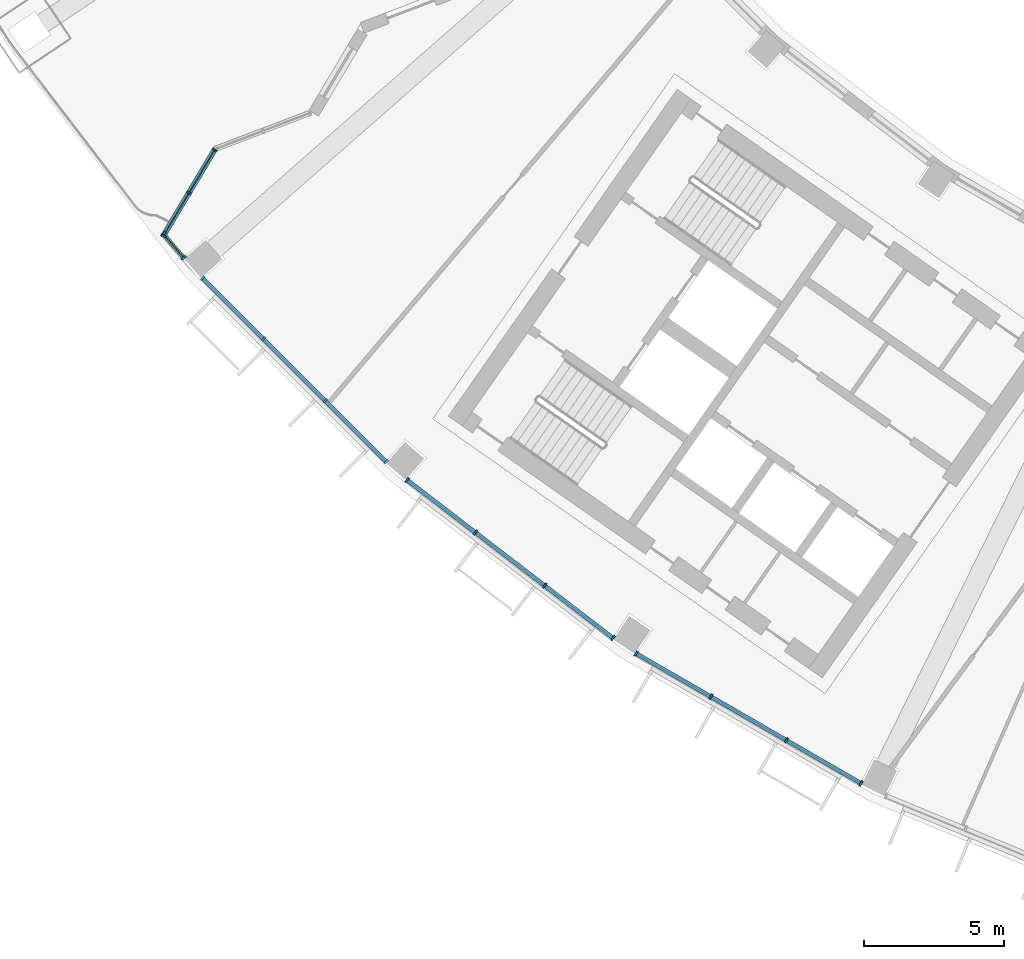
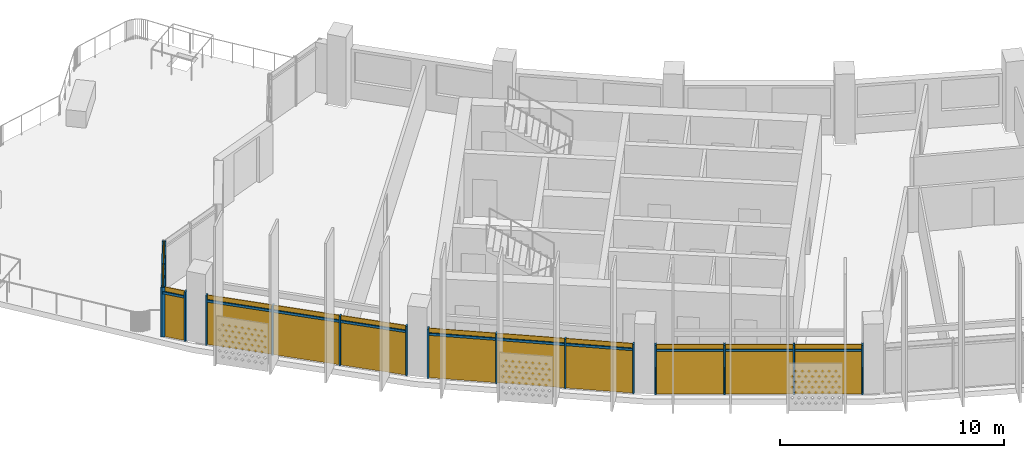
# One storey, part 16 of 29: 29 members, 5 curtain walls.
"""IFC4 building model written with IfcOpenShell, lengths in metres."""

from ifc_helpers import new_model, si_unit, direction, frame, origin, origin_2d, place, context, subcontext, project, spatial, rectangle, extrude, material, material_profile, profile_set, type_object, element, aggregate, save


model = new_model("IFC4")

# Units and contexts
model_context = context("Model", 3, precision=1e-05, world=origin(), true_north=direction((0.0, 1.0)))
body_context = subcontext(model_context, "Body", "Model", "MODEL_VIEW")
ifc_project = project(units=[si_unit("LENGTHUNIT", "METRE"), si_unit("AREAUNIT", "SQUARE_METRE"), si_unit("VOLUMEUNIT", "CUBIC_METRE"), si_unit("PLANEANGLEUNIT", "RADIAN"), si_unit("MASSUNIT", "GRAM", prefix="KILO")], contexts=[model_context])

# Member
ifc_material = material(Name="Aluminium 6063-T6 anodised", Category="aluminium")
ifc_material_profile_1 = material_profile(ifc_material, rectangle(XDim=0.179931640625, YDim=0.06005859375, at=origin_2d()))
ifc_profile_set_1 = profile_set([ifc_material_profile_1], Name="Aluminium 6063-T6 anodised")
member_type_1 = type_object("IfcMemberType", Name="Mullion 60 x 180 aluminium, garden", PredefinedType="MULLION", material=ifc_profile_set_1)
site_placement = place(None, origin())
building_placement = place(site_placement, origin())
storey_placement = place(building_placement, frame((0.0, 0.0, 258.10009765625)))
member_1_placement = place(storey_placement, frame((-58.046875, -47.376953125, 0.0), z_axis=(0.0, 0.0, 1.0), x_axis=(0.858770711953, -0.512360092408, 0.0)))
member_1 = element("IfcMember", 1, at=member_1_placement, type_object=member_type_1, Name="e-cw4-L62-capW5/M00", PredefinedType="MULLION", context=body_context, shape_type="SweptSolid", body=[
    extrude(rectangle(XDim=0.179931640625, YDim=0.06005859375, at=origin_2d()), origin(), (0.0, 0.0, 1.0), 2.699951171875),
])

member_2_placement = place(storey_placement, frame((-58.96044921875, -48.90869140625, 0.0), z_axis=(0.0, 0.0, 1.0), x_axis=(0.858770711953, -0.512360092408, 0.0)))
member_2 = element("IfcMember", 2, at=member_2_placement, type_object=member_type_1, Name="e-cw4-L62-capW5/M01", PredefinedType="MULLION", context=body_context, shape_type="SweptSolid", body=[
    extrude(rectangle(XDim=0.179931640625, YDim=0.06005859375, at=origin_2d()), origin(), (0.0, 0.0, 1.0), 2.699951171875),
])

member_3_placement = place(storey_placement, frame((-59.874267578125, -50.440185546875, 0.0), z_axis=(0.0, 0.0, 1.0), x_axis=(0.858770711953, -0.512360092408, 0.0)))
member_3 = element("IfcMember", 3, at=member_3_placement, type_object=member_type_1, Name="e-cw4-L62-capW5/M02", PredefinedType="MULLION", context=body_context, shape_type="SweptSolid", body=[
    extrude(rectangle(XDim=0.179931640625, YDim=0.06005859375, at=origin_2d()), origin(), (0.0, 0.0, 1.0), 2.699951171875),
])

ifc_material_profile_2 = material_profile(ifc_material, rectangle(XDim=0.199951171875, YDim=0.070068359375, at=origin_2d()))
ifc_profile_set_2 = profile_set([ifc_material_profile_2], Name="Aluminium 6063-T6 anodised")
member_type_2 = type_object("IfcMemberType", Name="Mullion 70 x 200 aluminium", PredefinedType="MULLION", material=ifc_profile_set_2)
member_4_placement = place(storey_placement, frame((-59.876953125, -50.376220703125, 0.0), z_axis=(0.0, 0.0, 1.0), x_axis=(0.758703110659, 0.651436558597, 0.0)))
member_4 = element("IfcMember", 4, at=member_4_placement, type_object=member_type_2, Name="e-cw1-L62-out00/M00", PredefinedType="MULLION", context=body_context, shape_type="SweptSolid", body=[
    extrude(rectangle(XDim=0.199951171875, YDim=0.070068359375, at=origin_2d()), origin(), (0.0, 0.0, 1.0), 2.699951171875),
])

member_5_placement = place(storey_placement, frame((-59.14990234375, -51.222900390625, 0.0), z_axis=(0.0, 0.0, 1.0), x_axis=(0.758703110659, 0.651436558597, 0.0)))
member_5 = element("IfcMember", 5, at=member_5_placement, type_object=member_type_2, Name="e-cw1-L62-out00/M01", PredefinedType="MULLION", context=body_context, shape_type="SweptSolid", body=[
    extrude(rectangle(XDim=0.199951171875, YDim=0.070068359375, at=origin_2d()), origin(), (0.0, 0.0, 1.0), 2.699951171875),
])

member_6_placement = place(storey_placement, frame((-58.482421875, -51.942626953125, 0.0), z_axis=(0.0, 0.0, 1.0), x_axis=(0.707106781187, 0.707106781187, 0.0)))
member_6 = element("IfcMember", 6, at=member_6_placement, type_object=member_type_2, Name="e-cw1-L62-out01/M00", PredefinedType="MULLION", context=body_context, shape_type="SweptSolid", body=[
    extrude(rectangle(XDim=0.199951171875, YDim=0.070068359375, at=origin_2d()), origin(), (0.0, 0.0, 1.0), 2.699951171875),
])

member_7_placement = place(storey_placement, frame((-56.310791015625, -54.1142578125, 0.0), z_axis=(0.0, 0.0, 1.0), x_axis=(0.707106781187, 0.707106781187, 0.0)))
member_7 = element("IfcMember", 7, at=member_7_placement, type_object=member_type_2, Name="e-cw1-L62-out01/M01", PredefinedType="MULLION", context=body_context, shape_type="SweptSolid", body=[
    extrude(rectangle(XDim=0.199951171875, YDim=0.070068359375, at=origin_2d()), origin(), (0.0, 0.0, 1.0), 2.699951171875),
])

member_8_placement = place(storey_placement, frame((-54.1142578125, -56.310791015625, 0.0), z_axis=(0.0, 0.0, 1.0), x_axis=(0.707106781187, 0.707106781187, 0.0)))
member_8 = element("IfcMember", 8, at=member_8_placement, type_object=member_type_2, Name="e-cw1-L62-out01/M02", PredefinedType="MULLION", context=body_context, shape_type="SweptSolid", body=[
    extrude(rectangle(XDim=0.199951171875, YDim=0.070068359375, at=origin_2d()), origin(), (0.0, 0.0, 1.0), 2.699951171875),
])

member_9_placement = place(storey_placement, frame((-51.942626953125, -58.482421875, 0.0), z_axis=(0.0, 0.0, 1.0), x_axis=(0.707106781187, 0.707106781187, 0.0)))
member_9 = element("IfcMember", 9, at=member_9_placement, type_object=member_type_2, Name="e-cw1-L62-out01/M03", PredefinedType="MULLION", context=body_context, shape_type="SweptSolid", body=[
    extrude(rectangle(XDim=0.199951171875, YDim=0.070068359375, at=origin_2d()), origin(), (0.0, 0.0, 1.0), 2.699951171875),
])

member_10_placement = place(storey_placement, frame((-51.2021484375, -59.131591796875, 0.0), z_axis=(0.0, 0.0, 1.0), x_axis=(0.608761429009, 0.793353340291, 0.0)))
member_10 = element("IfcMember", 10, at=member_10_placement, type_object=member_type_2, Name="e-cw1-L62-out02/M00", PredefinedType="MULLION", context=body_context, shape_type="SweptSolid", body=[
    extrude(rectangle(XDim=0.199951171875, YDim=0.070068359375, at=origin_2d()), origin(), (0.0, 0.0, 1.0), 2.699951171875),
])

member_11_placement = place(storey_placement, frame((-48.765625, -61.001220703125, 0.0), z_axis=(0.0, 0.0, 1.0), x_axis=(0.608761429009, 0.793353340291, 0.0)))
member_11 = element("IfcMember", 11, at=member_11_placement, type_object=member_type_2, Name="e-cw1-L62-out02/M01", PredefinedType="MULLION", context=body_context, shape_type="SweptSolid", body=[
    extrude(rectangle(XDim=0.199951171875, YDim=0.070068359375, at=origin_2d()), origin(), (0.0, 0.0, 1.0), 2.699951171875),
])

member_12_placement = place(storey_placement, frame((-46.30126953125, -62.892333984375, 0.0), z_axis=(0.0, 0.0, 1.0), x_axis=(0.608761429009, 0.793353340291, 0.0)))
member_12 = element("IfcMember", 12, at=member_12_placement, type_object=member_type_2, Name="e-cw1-L62-out02/M02", PredefinedType="MULLION", context=body_context, shape_type="SweptSolid", body=[
    extrude(rectangle(XDim=0.199951171875, YDim=0.070068359375, at=origin_2d()), origin(), (0.0, 0.0, 1.0), 2.699951171875),
])

member_13_placement = place(storey_placement, frame((-43.86474609375, -64.761962890625, 0.0), z_axis=(0.0, 0.0, 1.0), x_axis=(0.608761429009, 0.793353340291, 0.0)))
member_13 = element("IfcMember", 13, at=member_13_placement, type_object=member_type_2, Name="e-cw1-L62-out02/M03", PredefinedType="MULLION", context=body_context, shape_type="SweptSolid", body=[
    extrude(rectangle(XDim=0.199951171875, YDim=0.070068359375, at=origin_2d()), origin(), (0.0, 0.0, 1.0), 2.699951171875),
])

member_14_placement = place(storey_placement, frame((-43.0458984375, -65.30908203125, 0.0), z_axis=(0.0, 0.0, 1.0), x_axis=(0.5, 0.866025403784, 0.0)))
member_14 = element("IfcMember", 14, at=member_14_placement, type_object=member_type_2, Name="e-cw1-L62-out03/M00", PredefinedType="MULLION", context=body_context, shape_type="SweptSolid", body=[
    extrude(rectangle(XDim=0.199951171875, YDim=0.070068359375, at=origin_2d()), origin(), (0.0, 0.0, 1.0), 2.699951171875),
])

member_15_placement = place(storey_placement, frame((-40.38623046875, -66.8447265625, 0.0), z_axis=(0.0, 0.0, 1.0), x_axis=(0.5, 0.866025403784, 0.0)))
member_15 = element("IfcMember", 15, at=member_15_placement, type_object=member_type_2, Name="e-cw1-L62-out03/M01", PredefinedType="MULLION", context=body_context, shape_type="SweptSolid", body=[
    extrude(rectangle(XDim=0.199951171875, YDim=0.070068359375, at=origin_2d()), origin(), (0.0, 0.0, 1.0), 2.699951171875),
])

member_16_placement = place(storey_placement, frame((-37.696044921875, -68.397705078125, 0.0), z_axis=(0.0, 0.0, 1.0), x_axis=(0.5, 0.866025403784, 0.0)))
member_16 = element("IfcMember", 16, at=member_16_placement, type_object=member_type_2, Name="e-cw1-L62-out03/M02", PredefinedType="MULLION", context=body_context, shape_type="SweptSolid", body=[
    extrude(rectangle(XDim=0.199951171875, YDim=0.070068359375, at=origin_2d()), origin(), (0.0, 0.0, 1.0), 2.699951171875),
])

member_17_placement = place(storey_placement, frame((-35.036376953125, -69.933349609375, 0.0), z_axis=(0.0, 0.0, 1.0), x_axis=(0.5, 0.866025403784, 0.0)))
member_17 = element("IfcMember", 17, at=member_17_placement, type_object=member_type_2, Name="e-cw1-L62-out03/M03", PredefinedType="MULLION", context=body_context, shape_type="SweptSolid", body=[
    extrude(rectangle(XDim=0.199951171875, YDim=0.070068359375, at=origin_2d()), origin(), (0.0, 0.0, 1.0), 2.699951171875),
])

ifc_material_profile_3 = material_profile(ifc_material, rectangle(XDim=0.179931640625, YDim=0.10009765625, at=origin_2d()))
ifc_profile_set_3 = profile_set([ifc_material_profile_3], Name="Aluminium 6063-T6 anodised")
member_type_3 = type_object("IfcMemberType", Name="Transom 100 x 180 aluminium, garden", PredefinedType="USERDEFINED", material=ifc_profile_set_3)
member_18_placement = place(storey_placement, frame((-58.06201171875, -47.40283203125, 2.39990234375), z_axis=(-0.512494572581, -0.858690464064, 0.0), x_axis=(0.858690464064, -0.512494572581, 0.0)))
member_18 = element("IfcMember", 18, at=member_18_placement, type_object=member_type_3, Name="e-cw4-L62-capW5/T00", ObjectType="TRANSOM", PredefinedType="USERDEFINED", context=body_context, shape_type="SweptSolid", body=[
    extrude(rectangle(XDim=0.179931640625, YDim=0.10009765625, at=origin_2d()), origin(), (0.0, 0.0, 1.0), 1.7236328125),
])

member_19_placement = place(storey_placement, frame((-58.975830078125, -48.934326171875, 2.39990234375), z_axis=(-0.51232778747, -0.858789984913, 0.0), x_axis=(0.858789984913, -0.51232778747, 0.0)))
member_19 = element("IfcMember", 19, at=member_19_placement, type_object=member_type_3, Name="e-cw4-L62-capW5/T01", ObjectType="TRANSOM", PredefinedType="USERDEFINED", context=body_context, shape_type="SweptSolid", body=[
    extrude(rectangle(XDim=0.179931640625, YDim=0.10009765625, at=origin_2d()), origin(), (0.0, 0.0, 1.0), 1.7236328125),
])

ifc_material_profile_4 = material_profile(ifc_material, rectangle(XDim=0.139892578125, YDim=0.1201171875, at=origin_2d()))
ifc_profile_set_4 = profile_set([ifc_material_profile_4], Name="Aluminium 6063-T6 anodised")
member_type_4 = type_object("IfcMemberType", Name="Transom 120 x 140 aluminium", PredefinedType="USERDEFINED", material=ifc_profile_set_4)
member_20_placement = place(storey_placement, frame((-59.854248046875, -50.40283203125, 2.39990234375), z_axis=(0.651502361991, -0.758646605687, 0.0), x_axis=(0.758646605687, 0.651502361991, 0.0)))
member_20 = element("IfcMember", 20, at=member_20_placement, type_object=member_type_4, Name="e-cw1-L62-out00/T00", ObjectType="TRANSOM", PredefinedType="USERDEFINED", context=body_context, shape_type="SweptSolid", body=[
    extrude(rectangle(XDim=0.139892578125, YDim=0.1201171875, at=origin_2d()), origin(), (0.0, 0.0, 1.0), 1.0458984375),
])

member_21_placement = place(storey_placement, frame((-58.45751953125, -51.96728515625, 2.39990234375), z_axis=(0.707066106633, -0.707147453401, 0.0), x_axis=(0.707147453401, 0.707066106633, 0.0)))
member_21 = element("IfcMember", 21, at=member_21_placement, type_object=member_type_4, Name="e-cw1-L62-out01/T00", ObjectType="TRANSOM", PredefinedType="USERDEFINED", context=body_context, shape_type="SweptSolid", body=[
    extrude(rectangle(XDim=0.139892578125, YDim=0.1201171875, at=origin_2d()), origin(), (0.0, 0.0, 1.0), 3.001220703125),
])

member_22_placement = place(storey_placement, frame((-56.285888671875, -54.138916015625, 2.39990234375), z_axis=(0.707106781187, -0.707106781187, 0.0), x_axis=(0.707106781187, 0.707106781187, 0.0)))
member_22 = element("IfcMember", 22, at=member_22_placement, type_object=member_type_4, Name="e-cw1-L62-out01/T01", ObjectType="TRANSOM", PredefinedType="USERDEFINED", context=body_context, shape_type="SweptSolid", body=[
    extrude(rectangle(XDim=0.139892578125, YDim=0.1201171875, at=origin_2d()), origin(), (0.0, 0.0, 1.0), 3.036376953125),
])

member_23_placement = place(storey_placement, frame((-54.089599609375, -56.33544921875, 2.39990234375), z_axis=(0.707147453401, -0.707066106633, 0.0), x_axis=(0.707066106633, 0.707147453401, 0.0)))
member_23 = element("IfcMember", 23, at=member_23_placement, type_object=member_type_4, Name="e-cw1-L62-out01/T02", ObjectType="TRANSOM", PredefinedType="USERDEFINED", context=body_context, shape_type="SweptSolid", body=[
    extrude(rectangle(XDim=0.139892578125, YDim=0.1201171875, at=origin_2d()), origin(), (0.0, 0.0, 1.0), 3.001220703125),
])

member_24_placement = place(storey_placement, frame((-51.17431640625, -59.153076171875, 2.39990234375), z_axis=(0.793352271072, -0.60876282244, 0.0), x_axis=(0.60876282244, 0.793352271072, 0.0)))
member_24 = element("IfcMember", 24, at=member_24_placement, type_object=member_type_4, Name="e-cw1-L62-out02/T00", ObjectType="TRANSOM", PredefinedType="USERDEFINED", context=body_context, shape_type="SweptSolid", body=[
    extrude(rectangle(XDim=0.139892578125, YDim=0.1201171875, at=origin_2d()), origin(), (0.0, 0.0, 1.0), 3.0009765625),
])

member_25_placement = place(storey_placement, frame((-48.73779296875, -61.022705078125, 2.39990234375), z_axis=(0.79333190513, -0.608789362836, 0.0), x_axis=(0.608789362836, 0.79333190513, 0.0)))
member_25 = element("IfcMember", 25, at=member_25_placement, type_object=member_type_4, Name="e-cw1-L62-out02/T01", ObjectType="TRANSOM", PredefinedType="USERDEFINED", context=body_context, shape_type="SweptSolid", body=[
    extrude(rectangle(XDim=0.139892578125, YDim=0.1201171875, at=origin_2d()), origin(), (0.0, 0.0, 1.0), 3.0361328125),
])

member_26_placement = place(storey_placement, frame((-46.2734375, -62.91357421875, 2.39990234375), z_axis=(0.793312980955, -0.60881402271, 0.0), x_axis=(0.60881402271, 0.793312980955, 0.0)))
member_26 = element("IfcMember", 26, at=member_26_placement, type_object=member_type_4, Name="e-cw1-L62-out02/T02", ObjectType="TRANSOM", PredefinedType="USERDEFINED", context=body_context, shape_type="SweptSolid", body=[
    extrude(rectangle(XDim=0.139892578125, YDim=0.1201171875, at=origin_2d()), origin(), (0.0, 0.0, 1.0), 3.001220703125),
])

member_27_placement = place(storey_placement, frame((-43.015625, -65.32666015625, 2.39990234375), z_axis=(0.866041993159, -0.49997126526, 0.0), x_axis=(0.49997126526, 0.866041993159, 0.0)))
member_27 = element("IfcMember", 27, at=member_27_placement, type_object=member_type_4, Name="e-cw1-L62-out03/T00", ObjectType="TRANSOM", PredefinedType="USERDEFINED", context=body_context, shape_type="SweptSolid", body=[
    extrude(rectangle(XDim=0.139892578125, YDim=0.1201171875, at=origin_2d()), origin(), (0.0, 0.0, 1.0), 3.001220703125),
])

member_28_placement = place(storey_placement, frame((-40.35595703125, -66.862060546875, 2.39990234375), z_axis=(0.866012861315, -0.500021723565, 0.0), x_axis=(0.500021723565, 0.866012861315, 0.0)))
member_28 = element("IfcMember", 28, at=member_28_placement, type_object=member_type_4, Name="e-cw1-L62-out03/T01", ObjectType="TRANSOM", PredefinedType="USERDEFINED", context=body_context, shape_type="SweptSolid", body=[
    extrude(rectangle(XDim=0.139892578125, YDim=0.1201171875, at=origin_2d()), origin(), (0.0, 0.0, 1.0), 3.036376953125),
])

member_29_placement = place(storey_placement, frame((-37.665771484375, -68.415283203125, 2.39990234375), z_axis=(0.866041993159, -0.49997126526, 0.0), x_axis=(0.49997126526, 0.866041993159, 0.0)))
member_29 = element("IfcMember", 29, at=member_29_placement, type_object=member_type_4, Name="e-cw1-L62-out03/T02", ObjectType="TRANSOM", PredefinedType="USERDEFINED", context=body_context, shape_type="SweptSolid", body=[
    extrude(rectangle(XDim=0.139892578125, YDim=0.1201171875, at=origin_2d()), origin(), (0.0, 0.0, 1.0), 3.001220703125),
])

# Site, building, storey
site = spatial("IfcSite", under=ifc_project, at=site_placement, CompositionType="ELEMENT")
building = spatial("IfcBuilding", under=site, at=building_placement, Name="Qamariyya Broadcast Tower", CompositionType="ELEMENT")
storey = spatial("IfcBuildingStorey", under=building, at=storey_placement, Name="L62", CompositionType="ELEMENT", Elevation=258.10009765625)

# Curtain wall
curtain_wall_type_1 = type_object("IfcCurtainWallType", Name="Sky garden enclosure curtain wall", PredefinedType="NOTDEFINED", material=ifc_material)
curtain_wall_1_placement = place(storey_placement, origin())
curtain_wall_1 = element("IfcCurtainWall", 30, at=curtain_wall_1_placement, inside=storey, type_object=curtain_wall_type_1, Name="e-cw4-L62-capW5", PredefinedType="NOTDEFINED", context=body_context, shape_type="SweptSolid", body=[
    extrude(rectangle(XDim=1.723388671875, YDim=0.031982421875, at=origin_2d()), frame((-58.503662109375, -48.142822265625, 0.0), x_axis=(-0.512326207136, -0.858790927689, 0.0)), (0.0, 0.0, 1.0), 2.35009765625),
    extrude(rectangle(XDim=1.723388671875, YDim=0.031982421875, at=origin_2d()), frame((-58.503662109375, -48.142822265625, 2.449951171875), x_axis=(-0.512326207136, -0.858790927689, 0.0)), (0.0, 0.0, 1.0), 0.25),
    extrude(rectangle(XDim=1.723388671875, YDim=0.031982421875, at=origin_2d()), frame((-59.41748046875, -49.674560546875, 0.0), x_axis=(-0.512326207136, -0.858790927689, 0.0)), (0.0, 0.0, 1.0), 2.35009765625),
    extrude(rectangle(XDim=1.723388671875, YDim=0.031982421875, at=origin_2d()), frame((-59.41748046875, -49.674560546875, 2.449951171875), x_axis=(-0.512326207136, -0.858790927689, 0.0)), (0.0, 0.0, 1.0), 0.25),
])

aggregate(curtain_wall_1, [member_1, member_2, member_3, member_18, member_19])

curtain_wall_type_2 = type_object("IfcCurtainWallType", Name="Unitised curtain wall, anodised aluminium", PredefinedType="NOTDEFINED", material=ifc_material)
curtain_wall_2_placement = place(storey_placement, origin())
curtain_wall_2 = element("IfcCurtainWall", 31, at=curtain_wall_2_placement, inside=storey, type_object=curtain_wall_type_2, Name="e-cw1-L62-out00", PredefinedType="NOTDEFINED", context=body_context, shape_type="SweptSolid", body=[
    extrude(rectangle(XDim=1.0458984375, YDim=0.031982421875, at=origin_2d()), frame((-59.513427734375, -50.799560546875, 0.0), x_axis=(0.65133370287, -0.758791412383, 0.0)), (0.0, 0.0, 1.0), 2.340087890625),
    extrude(rectangle(XDim=1.0458984375, YDim=0.031982421875, at=origin_2d()), frame((-59.513427734375, -50.799560546875, 2.4599609375), x_axis=(0.65133370287, -0.758791412383, 0.0)), (0.0, 0.0, 1.0), 0.239990234375),
])

aggregate(curtain_wall_2, [member_4, member_5, member_20])

curtain_wall_3_placement = place(storey_placement, origin())
curtain_wall_3 = element("IfcCurtainWall", 32, at=curtain_wall_3_placement, inside=storey, type_object=curtain_wall_type_2, Name="e-cw1-L62-out01", PredefinedType="NOTDEFINED", context=body_context, shape_type="SweptSolid", body=[
    extrude(rectangle(XDim=3.001220703125, YDim=0.031982421875, at=origin_2d()), frame((-57.396484375, -53.0283203125, 0.0), x_axis=(0.707106781187, -0.707106781187, 0.0)), (0.0, 0.0, 1.0), 2.340087890625),
    extrude(rectangle(XDim=3.001220703125, YDim=0.031982421875, at=origin_2d()), frame((-57.396484375, -53.0283203125, 2.4599609375), x_axis=(0.707106781187, -0.707106781187, 0.0)), (0.0, 0.0, 1.0), 0.239990234375),
    extrude(rectangle(XDim=3.0361328125, YDim=0.031982421875, at=origin_2d()), frame((-55.21240234375, -55.21240234375, 0.0), x_axis=(0.707106781187, -0.707106781187, 0.0)), (0.0, 0.0, 1.0), 2.340087890625),
    extrude(rectangle(XDim=3.0361328125, YDim=0.031982421875, at=origin_2d()), frame((-55.21240234375, -55.21240234375, 2.4599609375), x_axis=(0.707106781187, -0.707106781187, 0.0)), (0.0, 0.0, 1.0), 0.239990234375),
    extrude(rectangle(XDim=3.001220703125, YDim=0.031982421875, at=origin_2d()), frame((-53.0283203125, -57.396484375, 0.0), x_axis=(0.707106781187, -0.707106781187, 0.0)), (0.0, 0.0, 1.0), 2.340087890625),
    extrude(rectangle(XDim=3.001220703125, YDim=0.031982421875, at=origin_2d()), frame((-53.0283203125, -57.396484375, 2.4599609375), x_axis=(0.707106781187, -0.707106781187, 0.0)), (0.0, 0.0, 1.0), 0.239990234375),
])

aggregate(curtain_wall_3, [member_6, member_7, member_8, member_9, member_21, member_22, member_23])

curtain_wall_4_placement = place(storey_placement, origin())
curtain_wall_4 = element("IfcCurtainWall", 33, at=curtain_wall_4_placement, inside=storey, type_object=curtain_wall_type_2, Name="e-cw1-L62-out02", PredefinedType="NOTDEFINED", context=body_context, shape_type="SweptSolid", body=[
    extrude(rectangle(XDim=3.001220703125, YDim=0.031982421875, at=origin_2d()), frame((-49.98388671875, -60.06640625, 0.0), x_axis=(0.793355818396, -0.608758199466, 0.0)), (0.0, 0.0, 1.0), 2.340087890625),
    extrude(rectangle(XDim=3.001220703125, YDim=0.031982421875, at=origin_2d()), frame((-49.98388671875, -60.06640625, 2.4599609375), x_axis=(0.793355818396, -0.608758199466, 0.0)), (0.0, 0.0, 1.0), 0.239990234375),
    extrude(rectangle(XDim=3.0361328125, YDim=0.031982421875, at=origin_2d()), frame((-47.533447265625, -61.94677734375, 0.0), x_axis=(0.793355818396, -0.608758199466, 0.0)), (0.0, 0.0, 1.0), 2.340087890625),
    extrude(rectangle(XDim=3.0361328125, YDim=0.031982421875, at=origin_2d()), frame((-47.533447265625, -61.94677734375, 2.4599609375), x_axis=(0.793355818396, -0.608758199466, 0.0)), (0.0, 0.0, 1.0), 0.239990234375),
    extrude(rectangle(XDim=3.001220703125, YDim=0.031982421875, at=origin_2d()), frame((-45.0830078125, -63.8271484375, 0.0), x_axis=(0.793355818396, -0.608758199466, 0.0)), (0.0, 0.0, 1.0), 2.340087890625),
    extrude(rectangle(XDim=3.001220703125, YDim=0.031982421875, at=origin_2d()), frame((-45.0830078125, -63.8271484375, 2.4599609375), x_axis=(0.793355818396, -0.608758199466, 0.0)), (0.0, 0.0, 1.0), 0.239990234375),
])

aggregate(curtain_wall_4, [member_10, member_11, member_12, member_13, member_24, member_25, member_26])

curtain_wall_5_placement = place(storey_placement, origin())
curtain_wall_5 = element("IfcCurtainWall", 34, at=curtain_wall_5_placement, inside=storey, type_object=curtain_wall_type_2, Name="e-cw1-L62-out03", PredefinedType="NOTDEFINED", context=body_context, shape_type="SweptSolid", body=[
    extrude(rectangle(XDim=3.001220703125, YDim=0.031982421875, at=origin_2d()), frame((-41.716064453125, -66.076904296875, 0.0), x_axis=(0.866017611601, -0.500013496215, 0.0)), (0.0, 0.0, 1.0), 2.340087890625),
    extrude(rectangle(XDim=3.001220703125, YDim=0.031982421875, at=origin_2d()), frame((-41.716064453125, -66.076904296875, 2.4599609375), x_axis=(0.866017611601, -0.500013496215, 0.0)), (0.0, 0.0, 1.0), 0.239990234375),
    extrude(rectangle(XDim=3.0361328125, YDim=0.031982421875, at=origin_2d()), frame((-39.041015625, -67.62109375, 0.0), x_axis=(0.866017611601, -0.500013496215, 0.0)), (0.0, 0.0, 1.0), 2.340087890625),
    extrude(rectangle(XDim=3.0361328125, YDim=0.031982421875, at=origin_2d()), frame((-39.041015625, -67.62109375, 2.4599609375), x_axis=(0.866017611601, -0.500013496215, 0.0)), (0.0, 0.0, 1.0), 0.239990234375),
    extrude(rectangle(XDim=3.001220703125, YDim=0.031982421875, at=origin_2d()), frame((-36.3662109375, -69.16552734375, 0.0), x_axis=(0.866017611601, -0.500013496215, 0.0)), (0.0, 0.0, 1.0), 2.340087890625),
    extrude(rectangle(XDim=3.001220703125, YDim=0.031982421875, at=origin_2d()), frame((-36.3662109375, -69.16552734375, 2.4599609375), x_axis=(0.866017611601, -0.500013496215, 0.0)), (0.0, 0.0, 1.0), 0.239990234375),
])

aggregate(curtain_wall_5, [member_14, member_15, member_16, member_17, member_27, member_28, member_29])

save(model, "model.ifc")
